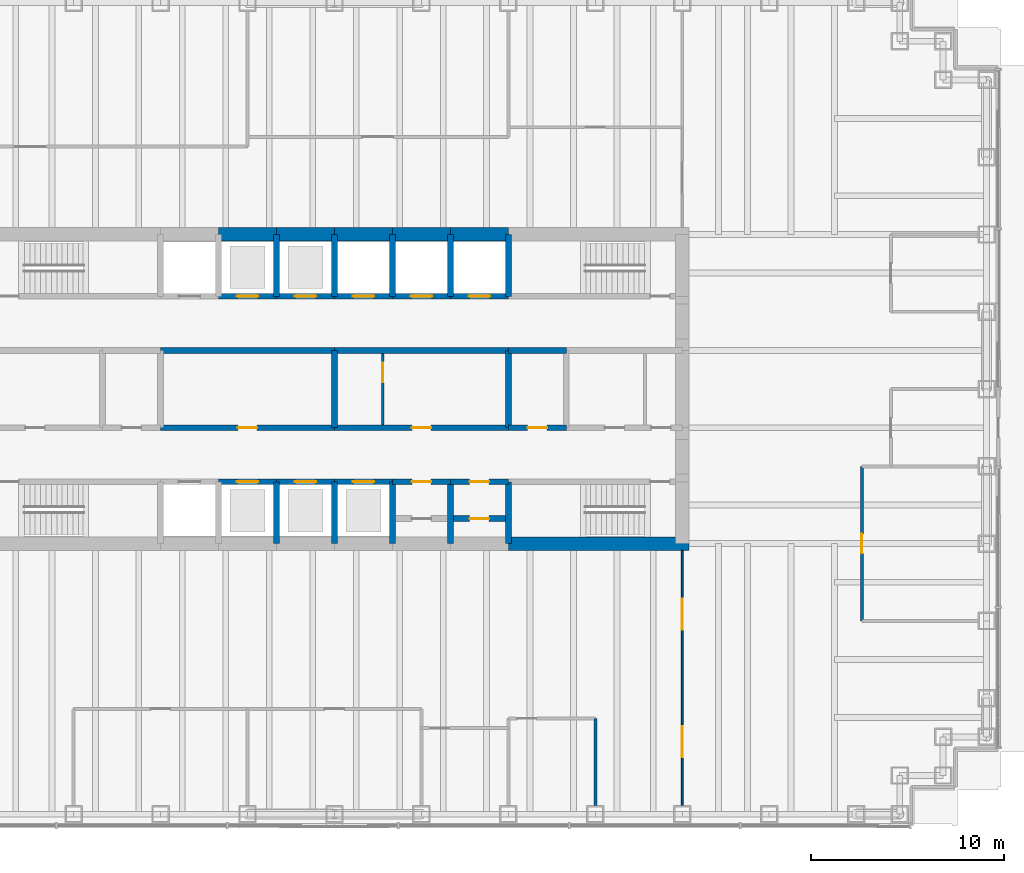
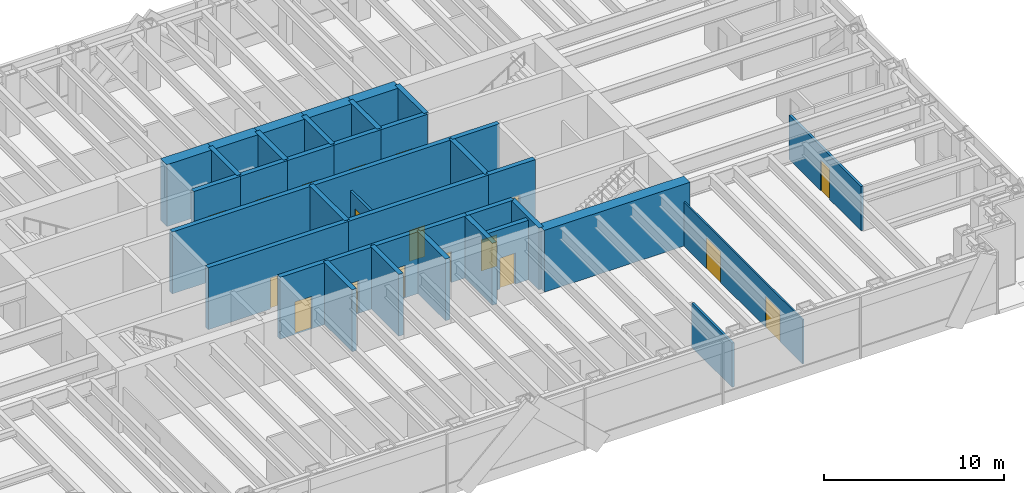
# One storey, part 8 of 12: 39 walls, 18 doors, 18 openings.
"""IFC4 building model written with IfcOpenShell, lengths in metres."""

from ifc_helpers import new_model, si_unit, direction, frame, frame_2d, origin, place, context, subcontext, project, spatial, rectangle, extrude, material, layer, layer_set, type_object, element, fill, save


model = new_model("IFC4")

# Units and contexts
model_context = context("Model", 3, precision=1e-05, world=origin(), true_north=direction((0.0, 1.0)))
body_context = subcontext(model_context, "Body", "Model", "MODEL_VIEW")
ifc_project = project(units=[si_unit("LENGTHUNIT", "METRE"), si_unit("AREAUNIT", "SQUARE_METRE"), si_unit("VOLUMEUNIT", "CUBIC_METRE"), si_unit("PLANEANGLEUNIT", "RADIAN"), si_unit("MASSUNIT", "GRAM", prefix="KILO")], contexts=[model_context])

# Site, building, storey
site_placement = place(None, origin())
site = spatial("IfcSite", under=ifc_project, at=site_placement, CompositionType="ELEMENT")
building_placement = place(site_placement, origin())
building = spatial("IfcBuilding", under=site, at=building_placement, Name="Rheinbord Bourse Tower", CompositionType="ELEMENT")
storey_placement = place(building_placement, frame((0.0, 0.0, 271.10009765625)))
storey = spatial("IfcBuildingStorey", under=building, at=storey_placement, Name="L61", CompositionType="ELEMENT", Elevation=271.10009765625)

# Wall, opening, door
ifc_material_1 = material(Name="Concrete C50/60", Category="concrete")
ifc_layer_1 = layer(ifc_material_1, 0.300048828125)
ifc_layer_set_1 = layer_set([ifc_layer_1], Name="CORE INNER WALL 300")
wall_type_1 = type_object("IfcWallType", Name="CORE INNER WALL 300", PredefinedType="SOLIDWALL", material=ifc_layer_set_1)
wall_1_placement = place(storey_placement, frame((30.0, 19.199951171875, 0.0), z_axis=(0.0, 0.0, 1.0), x_axis=(1.0, 0.0, 0.0)))
wall_1 = element("IfcWall", 1, at=wall_1_placement, inside=storey, type_object=wall_type_1, Name="Core wall A3 L61", PredefinedType="SOLIDWALL", context=body_context, shape_type="SweptSolid", body=[
    extrude(rectangle(XDim=3.0, YDim=0.300048828125, at=frame_2d((1.5, 0.0))), origin(), (0.0, 0.0, 1.0), 4.199951171875),
])
opening_1_placement = place(wall_1_placement, frame((0.949951171875, 0.0, 0.0)))
opening_1 = element("IfcOpeningElement", 2, at=opening_1_placement, cuts=wall_1, Name="Opening PD1", PredefinedType="OPENING", context=body_context, shape_type="SweptSolid", body=[
    extrude(rectangle(XDim=1.10009765625, YDim=2.199951171875, at=frame_2d((0.550048828125, 1.10009765625))), frame((0.0, 0.159912109375, 0.0), z_axis=(0.0, -1.0, 0.0), x_axis=(1.0, 0.0, 0.0)), (0.0, 0.0, 1.0), 0.320068359375),
])
ifc_material_2 = material(Name="Steel landing door", Category="steel")
door_type_1 = type_object("IfcDoorType", Name="LIFT LANDING DOOR 1100", OperationType="DOUBLE_DOOR_SLIDING", PredefinedType="USERDEFINED", material=ifc_material_2)
door_1_placement = place(opening_1_placement, origin())
door_1 = element("IfcDoor", 3, at=door_1_placement, inside=storey, type_object=door_type_1, Name="Lift landing door PD1 L61", ObjectType="LIFT LANDING DOOR", OperationType="DOUBLE_DOOR_SLIDING", OverallHeight=2.199951171875, OverallWidth=1.10009765625, PredefinedType="USERDEFINED", context=body_context, shape_type="SweptSolid", body=[
    extrude(rectangle(XDim=1.10009765625, YDim=2.199951171875, at=frame_2d((0.550048828125, 1.10009765625))), frame((0.0, 0.02490234375, 0.0), z_axis=(0.0, -1.0, 0.0), x_axis=(1.0, 0.0, 0.0)), (0.0, 0.0, 1.0), 0.050048828125),
])
fill(opening_1, door_1)

wall_2_placement = place(storey_placement, frame((33.0, 19.199951171875, 0.0), z_axis=(0.0, 0.0, 1.0), x_axis=(1.0, 0.0, 0.0)))
wall_2 = element("IfcWall", 4, at=wall_2_placement, inside=storey, type_object=wall_type_1, Name="Core wall A4 L61", PredefinedType="SOLIDWALL", context=body_context, shape_type="SweptSolid", body=[
    extrude(rectangle(XDim=3.0, YDim=0.300048828125, at=frame_2d((1.5, 0.0))), origin(), (0.0, 0.0, 1.0), 4.199951171875),
])
opening_2_placement = place(wall_2_placement, frame((0.949951171875, 0.0, 0.0)))
opening_2 = element("IfcOpeningElement", 5, at=opening_2_placement, cuts=wall_2, Name="Opening PD2", PredefinedType="OPENING", context=body_context, shape_type="SweptSolid", body=[
    extrude(rectangle(XDim=1.10009765625, YDim=2.199951171875, at=frame_2d((0.550048828125, 1.10009765625))), frame((0.0, 0.159912109375, 0.0), z_axis=(0.0, -1.0, 0.0), x_axis=(1.0, 0.0, 0.0)), (0.0, 0.0, 1.0), 0.320068359375),
])
door_2_placement = place(opening_2_placement, origin())
door_2 = element("IfcDoor", 6, at=door_2_placement, inside=storey, type_object=door_type_1, Name="Lift landing door PD2 L61", ObjectType="LIFT LANDING DOOR", OperationType="DOUBLE_DOOR_SLIDING", OverallHeight=2.199951171875, OverallWidth=1.10009765625, PredefinedType="USERDEFINED", context=body_context, shape_type="SweptSolid", body=[
    extrude(rectangle(XDim=1.10009765625, YDim=2.199951171875, at=frame_2d((0.550048828125, 1.10009765625))), frame((0.0, 0.02490234375, 0.0), z_axis=(0.0, -1.0, 0.0), x_axis=(1.0, 0.0, 0.0)), (0.0, 0.0, 1.0), 0.050048828125),
])
fill(opening_2, door_2)

wall_3_placement = place(storey_placement, frame((36.0, 19.199951171875, 0.0), z_axis=(0.0, 0.0, 1.0), x_axis=(1.0, 0.0, 0.0)))
wall_3 = element("IfcWall", 7, at=wall_3_placement, inside=storey, type_object=wall_type_1, Name="Core wall A5 L61", PredefinedType="SOLIDWALL", context=body_context, shape_type="SweptSolid", body=[
    extrude(rectangle(XDim=3.0, YDim=0.300048828125, at=frame_2d((1.5, 0.0))), origin(), (0.0, 0.0, 1.0), 4.199951171875),
])
opening_3_placement = place(wall_3_placement, frame((0.949951171875, 0.0, 0.0)))
opening_3 = element("IfcOpeningElement", 8, at=opening_3_placement, cuts=wall_3, Name="Opening PD3", PredefinedType="OPENING", context=body_context, shape_type="SweptSolid", body=[
    extrude(rectangle(XDim=1.10009765625, YDim=2.199951171875, at=frame_2d((0.550048828125, 1.10009765625))), frame((0.0, 0.159912109375, 0.0), z_axis=(0.0, -1.0, 0.0), x_axis=(1.0, 0.0, 0.0)), (0.0, 0.0, 1.0), 0.320068359375),
])
door_3_placement = place(opening_3_placement, origin())
door_3 = element("IfcDoor", 9, at=door_3_placement, inside=storey, type_object=door_type_1, Name="Lift landing door PD3 L61", ObjectType="LIFT LANDING DOOR", OperationType="DOUBLE_DOOR_SLIDING", OverallHeight=2.199951171875, OverallWidth=1.10009765625, PredefinedType="USERDEFINED", context=body_context, shape_type="SweptSolid", body=[
    extrude(rectangle(XDim=1.10009765625, YDim=2.199951171875, at=frame_2d((0.550048828125, 1.10009765625))), frame((0.0, 0.02490234375, 0.0), z_axis=(0.0, -1.0, 0.0), x_axis=(1.0, 0.0, 0.0)), (0.0, 0.0, 1.0), 0.050048828125),
])
fill(opening_3, door_3)

wall_4_placement = place(storey_placement, frame((39.0, 19.199951171875, 0.0), z_axis=(0.0, 0.0, 1.0), x_axis=(1.0, 0.0, 0.0)))
wall_4 = element("IfcWall", 10, at=wall_4_placement, inside=storey, type_object=wall_type_1, Name="Core wall A6 L61", PredefinedType="SOLIDWALL", context=body_context, shape_type="SweptSolid", body=[
    extrude(rectangle(XDim=3.0, YDim=0.300048828125, at=frame_2d((1.5, 0.0))), origin(), (0.0, 0.0, 1.0), 4.199951171875),
])
opening_4_placement = place(wall_4_placement, frame((1.0, 0.0, 0.0)))
opening_4 = element("IfcOpeningElement", 11, at=opening_4_placement, cuts=wall_4, Name="Opening 61R8", PredefinedType="OPENING", context=body_context, shape_type="SweptSolid", body=[
    extrude(rectangle(XDim=1.0, YDim=2.10009765625, at=frame_2d((0.5, 1.050048828125))), frame((0.0, 0.159912109375, 0.0), z_axis=(0.0, -1.0, 0.0), x_axis=(1.0, 0.0, 0.0)), (0.0, 0.0, 1.0), 0.320068359375),
])
ifc_material_3 = material(Name="Steel door", Category="steel")
door_type_2 = type_object("IfcDoorType", Name="DOOR 1000 EI30", OperationType="SINGLE_SWING_LEFT", PredefinedType="DOOR", material=ifc_material_3)
door_4_placement = place(opening_4_placement, origin())
door_4 = element("IfcDoor", 12, at=door_4_placement, inside=storey, type_object=door_type_2, Name="Stationery store door L61", OperationType="SINGLE_SWING_LEFT", OverallHeight=2.10009765625, OverallWidth=1.0, PredefinedType="DOOR", context=body_context, shape_type="SweptSolid", body=[
    extrude(rectangle(XDim=1.0, YDim=2.10009765625, at=frame_2d((0.5, 1.050048828125))), frame((0.0, 0.02490234375, 0.0), z_axis=(0.0, -1.0, 0.0), x_axis=(1.0, 0.0, 0.0)), (0.0, 0.0, 1.0), 0.050048828125),
])
fill(opening_4, door_4)

wall_5_placement = place(storey_placement, frame((42.0, 19.199951171875, 0.0), z_axis=(0.0, 0.0, 1.0), x_axis=(1.0, 0.0, 0.0)))
wall_5 = element("IfcWall", 13, at=wall_5_placement, inside=storey, type_object=wall_type_1, Name="Core wall A7 L61", PredefinedType="SOLIDWALL", context=body_context, shape_type="SweptSolid", body=[
    extrude(rectangle(XDim=3.0, YDim=0.300048828125, at=frame_2d((1.5, 0.0))), origin(), (0.0, 0.0, 1.0), 4.199951171875),
])
opening_5_placement = place(wall_5_placement, frame((1.0, 0.0, 0.0)))
opening_5 = element("IfcOpeningElement", 14, at=opening_5_placement, cuts=wall_5, Name="Opening 61R9", PredefinedType="OPENING", context=body_context, shape_type="SweptSolid", body=[
    extrude(rectangle(XDim=1.0, YDim=2.10009765625, at=frame_2d((0.5, 1.050048828125))), frame((0.0, 0.159912109375, 0.0), z_axis=(0.0, -1.0, 0.0), x_axis=(1.0, 0.0, 0.0)), (0.0, 0.0, 1.0), 0.320068359375),
])
door_5_placement = place(opening_5_placement, origin())
door_5 = element("IfcDoor", 15, at=door_5_placement, inside=storey, type_object=door_type_2, Name="Supplies store door L61", OperationType="SINGLE_SWING_LEFT", OverallHeight=2.10009765625, OverallWidth=1.0, PredefinedType="DOOR", context=body_context, shape_type="SweptSolid", body=[
    extrude(rectangle(XDim=1.0, YDim=2.10009765625, at=frame_2d((0.5, 1.050048828125))), frame((0.0, 0.02490234375, 0.0), z_axis=(0.0, -1.0, 0.0), x_axis=(1.0, 0.0, 0.0)), (0.0, 0.0, 1.0), 0.050048828125),
])
fill(opening_5, door_5)

wall_6_placement = place(storey_placement, frame((30.0, 28.800048828125, 0.0), z_axis=(0.0, 0.0, 1.0), x_axis=(1.0, 0.0, 0.0)))
wall_6 = element("IfcWall", 16, at=wall_6_placement, inside=storey, type_object=wall_type_1, Name="Core wall B3 L61", PredefinedType="SOLIDWALL", context=body_context, shape_type="SweptSolid", body=[
    extrude(rectangle(XDim=3.0, YDim=0.300048828125, at=frame_2d((1.5, 0.0))), origin(), (0.0, 0.0, 1.0), 4.199951171875),
])
opening_6_placement = place(wall_6_placement, frame((0.949951171875, 0.0, 0.0)))
opening_6 = element("IfcOpeningElement", 17, at=opening_6_placement, cuts=wall_6, Name="Opening PD4", PredefinedType="OPENING", context=body_context, shape_type="SweptSolid", body=[
    extrude(rectangle(XDim=1.10009765625, YDim=2.199951171875, at=frame_2d((0.550048828125, 1.10009765625))), frame((0.0, 0.159912109375, 0.0), z_axis=(0.0, -1.0, 0.0), x_axis=(1.0, 0.0, 0.0)), (0.0, 0.0, 1.0), 0.320068359375),
])
door_6_placement = place(opening_6_placement, origin())
door_6 = element("IfcDoor", 18, at=door_6_placement, inside=storey, type_object=door_type_1, Name="Lift landing door PD4 L61", ObjectType="LIFT LANDING DOOR", OperationType="DOUBLE_DOOR_SLIDING", OverallHeight=2.199951171875, OverallWidth=1.10009765625, PredefinedType="USERDEFINED", context=body_context, shape_type="SweptSolid", body=[
    extrude(rectangle(XDim=1.10009765625, YDim=2.199951171875, at=frame_2d((0.550048828125, 1.10009765625))), frame((0.0, 0.02490234375, 0.0), z_axis=(0.0, -1.0, 0.0), x_axis=(1.0, 0.0, 0.0)), (0.0, 0.0, 1.0), 0.050048828125),
])
fill(opening_6, door_6)

wall_7_placement = place(storey_placement, frame((33.0, 28.800048828125, 0.0), z_axis=(0.0, 0.0, 1.0), x_axis=(1.0, 0.0, 0.0)))
wall_7 = element("IfcWall", 19, at=wall_7_placement, inside=storey, type_object=wall_type_1, Name="Core wall B4 L61", PredefinedType="SOLIDWALL", context=body_context, shape_type="SweptSolid", body=[
    extrude(rectangle(XDim=3.0, YDim=0.300048828125, at=frame_2d((1.5, 0.0))), origin(), (0.0, 0.0, 1.0), 4.199951171875),
])
opening_7_placement = place(wall_7_placement, frame((0.949951171875, 0.0, 0.0)))
opening_7 = element("IfcOpeningElement", 20, at=opening_7_placement, cuts=wall_7, Name="Opening PD5", PredefinedType="OPENING", context=body_context, shape_type="SweptSolid", body=[
    extrude(rectangle(XDim=1.10009765625, YDim=2.199951171875, at=frame_2d((0.550048828125, 1.10009765625))), frame((0.0, 0.159912109375, 0.0), z_axis=(0.0, -1.0, 0.0), x_axis=(1.0, 0.0, 0.0)), (0.0, 0.0, 1.0), 0.320068359375),
])
door_7_placement = place(opening_7_placement, origin())
door_7 = element("IfcDoor", 21, at=door_7_placement, inside=storey, type_object=door_type_1, Name="Lift landing door PD5 L61", ObjectType="LIFT LANDING DOOR", OperationType="DOUBLE_DOOR_SLIDING", OverallHeight=2.199951171875, OverallWidth=1.10009765625, PredefinedType="USERDEFINED", context=body_context, shape_type="SweptSolid", body=[
    extrude(rectangle(XDim=1.10009765625, YDim=2.199951171875, at=frame_2d((0.550048828125, 1.10009765625))), frame((0.0, 0.02490234375, 0.0), z_axis=(0.0, -1.0, 0.0), x_axis=(1.0, 0.0, 0.0)), (0.0, 0.0, 1.0), 0.050048828125),
])
fill(opening_7, door_7)

wall_8_placement = place(storey_placement, frame((36.0, 28.800048828125, 0.0), z_axis=(0.0, 0.0, 1.0), x_axis=(1.0, 0.0, 0.0)))
wall_8 = element("IfcWall", 22, at=wall_8_placement, inside=storey, type_object=wall_type_1, Name="Core wall B5 L61", PredefinedType="SOLIDWALL", context=body_context, shape_type="SweptSolid", body=[
    extrude(rectangle(XDim=3.0, YDim=0.300048828125, at=frame_2d((1.5, 0.0))), origin(), (0.0, 0.0, 1.0), 4.199951171875),
])
opening_8_placement = place(wall_8_placement, frame((0.949951171875, 0.0, 0.0)))
opening_8 = element("IfcOpeningElement", 23, at=opening_8_placement, cuts=wall_8, Name="Opening SL3", PredefinedType="OPENING", context=body_context, shape_type="SweptSolid", body=[
    extrude(rectangle(XDim=1.10009765625, YDim=2.199951171875, at=frame_2d((0.550048828125, 1.10009765625))), frame((0.0, 0.159912109375, 0.0), z_axis=(0.0, -1.0, 0.0), x_axis=(1.0, 0.0, 0.0)), (0.0, 0.0, 1.0), 0.320068359375),
])
door_8_placement = place(opening_8_placement, origin())
door_8 = element("IfcDoor", 24, at=door_8_placement, inside=storey, type_object=door_type_1, Name="Lift landing door SL3 L61", ObjectType="LIFT LANDING DOOR", OperationType="DOUBLE_DOOR_SLIDING", OverallHeight=2.199951171875, OverallWidth=1.10009765625, PredefinedType="USERDEFINED", context=body_context, shape_type="SweptSolid", body=[
    extrude(rectangle(XDim=1.10009765625, YDim=2.199951171875, at=frame_2d((0.550048828125, 1.10009765625))), frame((0.0, 0.02490234375, 0.0), z_axis=(0.0, -1.0, 0.0), x_axis=(1.0, 0.0, 0.0)), (0.0, 0.0, 1.0), 0.050048828125),
])
fill(opening_8, door_8)

wall_9_placement = place(storey_placement, frame((39.0, 28.800048828125, 0.0), z_axis=(0.0, 0.0, 1.0), x_axis=(1.0, 0.0, 0.0)))
wall_9 = element("IfcWall", 25, at=wall_9_placement, inside=storey, type_object=wall_type_1, Name="Core wall B6 L61", PredefinedType="SOLIDWALL", context=body_context, shape_type="SweptSolid", body=[
    extrude(rectangle(XDim=3.0, YDim=0.300048828125, at=frame_2d((1.5, 0.0))), origin(), (0.0, 0.0, 1.0), 4.199951171875),
])
opening_9_placement = place(wall_9_placement, frame((0.949951171875, 0.0, 0.0)))
opening_9 = element("IfcOpeningElement", 26, at=opening_9_placement, cuts=wall_9, Name="Opening SL4", PredefinedType="OPENING", context=body_context, shape_type="SweptSolid", body=[
    extrude(rectangle(XDim=1.10009765625, YDim=2.199951171875, at=frame_2d((0.550048828125, 1.10009765625))), frame((0.0, 0.159912109375, 0.0), z_axis=(0.0, -1.0, 0.0), x_axis=(1.0, 0.0, 0.0)), (0.0, 0.0, 1.0), 0.320068359375),
])
door_9_placement = place(opening_9_placement, origin())
door_9 = element("IfcDoor", 27, at=door_9_placement, inside=storey, type_object=door_type_1, Name="Lift landing door SL4 L61", ObjectType="LIFT LANDING DOOR", OperationType="DOUBLE_DOOR_SLIDING", OverallHeight=2.199951171875, OverallWidth=1.10009765625, PredefinedType="USERDEFINED", context=body_context, shape_type="SweptSolid", body=[
    extrude(rectangle(XDim=1.10009765625, YDim=2.199951171875, at=frame_2d((0.550048828125, 1.10009765625))), frame((0.0, 0.02490234375, 0.0), z_axis=(0.0, -1.0, 0.0), x_axis=(1.0, 0.0, 0.0)), (0.0, 0.0, 1.0), 0.050048828125),
])
fill(opening_9, door_9)

wall_10_placement = place(storey_placement, frame((42.0, 28.800048828125, 0.0), z_axis=(0.0, 0.0, 1.0), x_axis=(1.0, 0.0, 0.0)))
wall_10 = element("IfcWall", 28, at=wall_10_placement, inside=storey, type_object=wall_type_1, Name="Core wall B7 L61", PredefinedType="SOLIDWALL", context=body_context, shape_type="SweptSolid", body=[
    extrude(rectangle(XDim=3.0, YDim=0.300048828125, at=frame_2d((1.5, 0.0))), origin(), (0.0, 0.0, 1.0), 4.199951171875),
])
opening_10_placement = place(wall_10_placement, frame((0.949951171875, 0.0, 0.0)))
opening_10 = element("IfcOpeningElement", 29, at=opening_10_placement, cuts=wall_10, Name="Opening FL2", PredefinedType="OPENING", context=body_context, shape_type="SweptSolid", body=[
    extrude(rectangle(XDim=1.10009765625, YDim=2.199951171875, at=frame_2d((0.550048828125, 1.10009765625))), frame((0.0, 0.159912109375, 0.0), z_axis=(0.0, -1.0, 0.0), x_axis=(1.0, 0.0, 0.0)), (0.0, 0.0, 1.0), 0.320068359375),
])
door_10_placement = place(opening_10_placement, origin())
door_10 = element("IfcDoor", 30, at=door_10_placement, inside=storey, type_object=door_type_1, Name="Lift landing door FL2 L61", ObjectType="LIFT LANDING DOOR", OperationType="DOUBLE_DOOR_SLIDING", OverallHeight=2.199951171875, OverallWidth=1.10009765625, PredefinedType="USERDEFINED", context=body_context, shape_type="SweptSolid", body=[
    extrude(rectangle(XDim=1.10009765625, YDim=2.199951171875, at=frame_2d((0.550048828125, 1.10009765625))), frame((0.0, 0.02490234375, 0.0), z_axis=(0.0, -1.0, 0.0), x_axis=(1.0, 0.0, 0.0)), (0.0, 0.0, 1.0), 0.050048828125),
])
fill(opening_10, door_10)

wall_11_placement = place(storey_placement, frame((27.0, 22.0, 0.0), z_axis=(0.0, 0.0, 1.0), x_axis=(1.0, 0.0, 0.0)))
wall_11 = element("IfcWall", 31, at=wall_11_placement, inside=storey, type_object=wall_type_1, Name="Core wall C3 L61", PredefinedType="SOLIDWALL", context=body_context, shape_type="SweptSolid", body=[
    extrude(rectangle(XDim=9.0, YDim=0.300048828125, at=frame_2d((4.5, 0.0))), origin(), (0.0, 0.0, 1.0), 4.199951171875),
])
opening_11_placement = place(wall_11_placement, frame((4.0, 0.0, 0.0)))
opening_11 = element("IfcOpeningElement", 32, at=opening_11_placement, cuts=wall_11, Name="Opening 61R3", PredefinedType="OPENING", context=body_context, shape_type="SweptSolid", body=[
    extrude(rectangle(XDim=1.0, YDim=2.10009765625, at=frame_2d((0.5, 1.050048828125))), frame((0.0, 0.159912109375, 0.0), z_axis=(0.0, -1.0, 0.0), x_axis=(1.0, 0.0, 0.0)), (0.0, 0.0, 1.0), 0.320068359375),
])
door_11_placement = place(opening_11_placement, origin())
door_11 = element("IfcDoor", 33, at=door_11_placement, inside=storey, type_object=door_type_2, Name="Riser door L61", OperationType="SINGLE_SWING_LEFT", OverallHeight=2.10009765625, OverallWidth=1.0, PredefinedType="DOOR", context=body_context, shape_type="SweptSolid", body=[
    extrude(rectangle(XDim=1.0, YDim=2.10009765625, at=frame_2d((0.5, 1.050048828125))), frame((0.0, 0.02490234375, 0.0), z_axis=(0.0, -1.0, 0.0), x_axis=(1.0, 0.0, 0.0)), (0.0, 0.0, 1.0), 0.050048828125),
])
fill(opening_11, door_11)

wall_12_placement = place(storey_placement, frame((36.0, 22.0, 0.0), z_axis=(0.0, 0.0, 1.0), x_axis=(1.0, 0.0, 0.0)))
wall_12 = element("IfcWall", 34, at=wall_12_placement, inside=storey, type_object=wall_type_1, Name="Core wall C4 L61", PredefinedType="SOLIDWALL", context=body_context, shape_type="SweptSolid", body=[
    extrude(rectangle(XDim=9.0, YDim=0.300048828125, at=frame_2d((4.5, 0.0))), origin(), (0.0, 0.0, 1.0), 4.199951171875),
])
opening_12_placement = place(wall_12_placement, frame((4.0, 0.0, 0.0)))
opening_12 = element("IfcOpeningElement", 35, at=opening_12_placement, cuts=wall_12, Name="Opening 61R4", PredefinedType="OPENING", context=body_context, shape_type="SweptSolid", body=[
    extrude(rectangle(XDim=1.0, YDim=2.10009765625, at=frame_2d((0.5, 1.050048828125))), frame((0.0, 0.159912109375, 0.0), z_axis=(0.0, -1.0, 0.0), x_axis=(1.0, 0.0, 0.0)), (0.0, 0.0, 1.0), 0.320068359375),
])
door_12_placement = place(opening_12_placement, origin())
door_12 = element("IfcDoor", 36, at=door_12_placement, inside=storey, type_object=door_type_2, Name="Store door L61", OperationType="SINGLE_SWING_LEFT", OverallHeight=2.10009765625, OverallWidth=1.0, PredefinedType="DOOR", context=body_context, shape_type="SweptSolid", body=[
    extrude(rectangle(XDim=1.0, YDim=2.10009765625, at=frame_2d((0.5, 1.050048828125))), frame((0.0, 0.02490234375, 0.0), z_axis=(0.0, -1.0, 0.0), x_axis=(1.0, 0.0, 0.0)), (0.0, 0.0, 1.0), 0.050048828125),
])
fill(opening_12, door_12)

wall_13_placement = place(storey_placement, frame((45.0, 22.0, 0.0), z_axis=(0.0, 0.0, 1.0), x_axis=(1.0, 0.0, 0.0)))
wall_13 = element("IfcWall", 37, at=wall_13_placement, inside=storey, type_object=wall_type_1, Name="Core wall C5 L61", PredefinedType="SOLIDWALL", context=body_context, shape_type="SweptSolid", body=[
    extrude(rectangle(XDim=3.0, YDim=0.300048828125, at=frame_2d((1.5, 0.0))), origin(), (0.0, 0.0, 1.0), 4.199951171875),
])
opening_13_placement = place(wall_13_placement, frame((1.0, 0.0, 0.0)))
opening_13 = element("IfcOpeningElement", 38, at=opening_13_placement, cuts=wall_13, Name="Opening 61R5", PredefinedType="OPENING", context=body_context, shape_type="SweptSolid", body=[
    extrude(rectangle(XDim=1.0, YDim=2.10009765625, at=frame_2d((0.5, 1.050048828125))), frame((0.0, 0.159912109375, 0.0), z_axis=(0.0, -1.0, 0.0), x_axis=(1.0, 0.0, 0.0)), (0.0, 0.0, 1.0), 0.320068359375),
])
ifc_material_4 = material(Name="Timber door", Category="wood")
door_type_3 = type_object("IfcDoorType", Name="DOOR 1000 WC", OperationType="SINGLE_SWING_LEFT", PredefinedType="DOOR", material=ifc_material_4)
door_13_placement = place(opening_13_placement, origin())
door_13 = element("IfcDoor", 39, at=door_13_placement, inside=storey, type_object=door_type_3, Name="Accessible WC door L61", OperationType="SINGLE_SWING_LEFT", OverallHeight=2.10009765625, OverallWidth=1.0, PredefinedType="DOOR", context=body_context, shape_type="SweptSolid", body=[
    extrude(rectangle(XDim=1.0, YDim=2.10009765625, at=frame_2d((0.5, 1.050048828125))), frame((0.0, 0.02490234375, 0.0), z_axis=(0.0, -1.0, 0.0), x_axis=(1.0, 0.0, 0.0)), (0.0, 0.0, 1.0), 0.050048828125),
])
fill(opening_13, door_13)

# Walls
for number, where, z_axis, x_axis, name in (
    (40, (27.0, 26.0, 0.0), (0.0, 0.0, 1.0), (1.0, 0.0, 0.0), "Core wall D3 L61"),
    (41, (36.0, 26.0, 0.0), (0.0, 0.0, 1.0), (1.0, 0.0, 0.0), "Core wall D4 L61"),
):
    element("IfcWall", number, at=place(storey_placement, frame(where, z_axis=z_axis, x_axis=x_axis)), inside=storey, type_object=wall_type_1, Name=name, PredefinedType="SOLIDWALL", context=body_context, shape_type="SweptSolid", body=[
        extrude(rectangle(XDim=9.0, YDim=0.300048828125, at=frame_2d((4.5, 0.0))), origin(), (0.0, 0.0, 1.0), 4.199951171875),
    ])
wall_14_placement = place(storey_placement, frame((45.0, 26.0, 0.0), z_axis=(0.0, 0.0, 1.0), x_axis=(1.0, 0.0, 0.0)))
element("IfcWall", 42, at=wall_14_placement, inside=storey, type_object=wall_type_1, Name="Core wall D5 L61", PredefinedType="SOLIDWALL", context=body_context, shape_type="SweptSolid", body=[
    extrude(rectangle(XDim=3.0, YDim=0.300048828125, at=frame_2d((1.5, 0.0))), origin(), (0.0, 0.0, 1.0), 4.199951171875),
])
for number, where, z_axis, x_axis, name in (
    (43, (33.0, 16.0, 0.0), (0.0, 0.0, 1.0), (0.0, 1.0, 0.0), "Core wall SX33 L61"),
    (44, (33.0, 28.800048828125, 0.0), (0.0, 0.0, 1.0), (0.0, 1.0, 0.0), "Core wall NX33 L61"),
    (45, (36.0, 16.0, 0.0), (0.0, 0.0, 1.0), (0.0, 1.0, 0.0), "Core wall SX36 L61"),
    (46, (36.0, 28.800048828125, 0.0), (0.0, 0.0, 1.0), (0.0, 1.0, 0.0), "Core wall NX36 L61"),
    (47, (39.0, 16.0, 0.0), (0.0, 0.0, 1.0), (0.0, 1.0, 0.0), "Core wall SX39 L61"),
    (48, (39.0, 28.800048828125, 0.0), (0.0, 0.0, 1.0), (0.0, 1.0, 0.0), "Core wall NX39 L61"),
    (49, (42.0, 16.0, 0.0), (0.0, 0.0, 1.0), (0.0, 1.0, 0.0), "Core wall SX42 L61"),
    (50, (42.0, 28.800048828125, 0.0), (0.0, 0.0, 1.0), (0.0, 1.0, 0.0), "Core wall NX42 L61"),
    (51, (45.0, 16.0, 0.0), (0.0, 0.0, 1.0), (0.0, 1.0, 0.0), "Core wall SX45 L61"),
    (52, (45.0, 28.800048828125, 0.0), (0.0, 0.0, 1.0), (0.0, 1.0, 0.0), "Core wall NX45 L61"),
):
    element("IfcWall", number, at=place(storey_placement, frame(where, z_axis=z_axis, x_axis=x_axis)), inside=storey, type_object=wall_type_1, Name=name, PredefinedType="SOLIDWALL", context=body_context, shape_type="SweptSolid", body=[
        extrude(rectangle(XDim=3.199951171875, YDim=0.300048828125, at=frame_2d((1.60009765625, 0.0))), origin(), (0.0, 0.0, 1.0), 4.199951171875),
    ])
for number, where, z_axis, x_axis, name in (
    (53, (36.0, 22.0, 0.0), (0.0, 0.0, 1.0), (0.0, 1.0, 0.0), "Core wall MX36 L61"),
    (54, (45.0, 22.0, 0.0), (0.0, 0.0, 1.0), (0.0, 1.0, 0.0), "Core wall MX45 L61"),
):
    element("IfcWall", number, at=place(storey_placement, frame(where, z_axis=z_axis, x_axis=x_axis)), inside=storey, type_object=wall_type_1, Name=name, PredefinedType="SOLIDWALL", context=body_context, shape_type="SweptSolid", body=[
        extrude(rectangle(XDim=4.0, YDim=0.300048828125, at=frame_2d((2.0, 0.0))), origin(), (0.0, 0.0, 1.0), 4.199951171875),
    ])

# Wall, opening, door
wall_15_placement = place(storey_placement, frame((42.14990234375, 17.300048828125, 0.0), z_axis=(0.0, 0.0, 1.0), x_axis=(1.0, 0.0, 0.0)))
wall_15 = element("IfcWall", 55, at=wall_15_placement, inside=storey, type_object=wall_type_1, Name="Core riser wall L61-7", PredefinedType="SOLIDWALL", context=body_context, shape_type="SweptSolid", body=[
    extrude(rectangle(XDim=2.7001953125, YDim=0.300048828125, at=frame_2d((1.35009765625, 0.0))), origin(), (0.0, 0.0, 1.0), 4.039794921875),
])
opening_14_placement = place(wall_15_placement, frame((0.85009765625, 0.0, 0.0)))
opening_14 = element("IfcOpeningElement", 56, at=opening_14_placement, cuts=wall_15, Name="Opening 61R13", PredefinedType="OPENING", context=body_context, shape_type="SweptSolid", body=[
    extrude(rectangle(XDim=1.0, YDim=2.10009765625, at=frame_2d((0.5, 1.050048828125))), frame((0.0, 0.159912109375, 0.0), z_axis=(0.0, -1.0, 0.0), x_axis=(1.0, 0.0, 0.0)), (0.0, 0.0, 1.0), 0.320068359375),
])
door_14_placement = place(opening_14_placement, origin())
door_14 = element("IfcDoor", 57, at=door_14_placement, inside=storey, type_object=door_type_2, Name="Electrical riser door L61", OperationType="SINGLE_SWING_LEFT", OverallHeight=2.10009765625, OverallWidth=1.0, PredefinedType="DOOR", context=body_context, shape_type="SweptSolid", body=[
    extrude(rectangle(XDim=1.0, YDim=2.10009765625, at=frame_2d((0.5, 1.050048828125))), frame((0.0, 0.02490234375, 0.0), z_axis=(0.0, -1.0, 0.0), x_axis=(1.0, 0.0, 0.0)), (0.0, 0.0, 1.0), 0.050048828125),
])
fill(opening_14, door_14)

ifc_material_5 = material(Name="Gypsum board fire partition", Category="gypsum board")
ifc_layer_2 = layer(ifc_material_5, 0.14990234375)
ifc_layer_set_2 = layer_set([ifc_layer_2], Name="CORE PARTITION 150 EI30")
wall_type_2 = type_object("IfcWallType", Name="CORE PARTITION 150 EI30", PredefinedType="PARTITIONING", material=ifc_layer_set_2)
wall_16_placement = place(storey_placement, frame((38.5, 22.14990234375, 0.0), z_axis=(0.0, 0.0, 1.0), x_axis=(0.0, 1.0, 0.0)))
wall_16 = element("IfcWall", 58, at=wall_16_placement, inside=storey, type_object=wall_type_2, Name="Core partition L61-1", PredefinedType="PARTITIONING", context=body_context, shape_type="SweptSolid", body=[
    extrude(rectangle(XDim=3.7001953125, YDim=0.14990234375, at=frame_2d((1.85009765625, 0.0))), origin(), (0.0, 0.0, 1.0), 3.0),
])
opening_15_placement = place(wall_16_placement, frame((2.199951171875, 0.0, 0.0)))
opening_15 = element("IfcOpeningElement", 59, at=opening_15_placement, cuts=wall_16, Name="Opening 61R7", PredefinedType="OPENING", context=body_context, shape_type="SweptSolid", body=[
    extrude(rectangle(XDim=1.0, YDim=2.10009765625, at=frame_2d((0.5, 1.050048828125))), frame((0.0, 0.0849609375, 0.0), z_axis=(0.0, -1.0, 0.0), x_axis=(1.0, 0.0, 0.0)), (0.0, 0.0, 1.0), 0.169921875),
])
door_15_placement = place(opening_15_placement, origin())
door_15 = element("IfcDoor", 60, at=door_15_placement, inside=storey, type_object=door_type_2, Name="Furniture store door L61", OperationType="SINGLE_SWING_RIGHT", OverallHeight=2.10009765625, OverallWidth=1.0, PredefinedType="DOOR", context=body_context, shape_type="SweptSolid", body=[
    extrude(rectangle(XDim=1.0, YDim=2.10009765625, at=frame_2d((0.5, 1.050048828125))), frame((0.0, 0.02490234375, 0.0), z_axis=(0.0, -1.0, 0.0), x_axis=(1.0, 0.0, 0.0)), (0.0, 0.0, 1.0), 0.050048828125),
])
fill(opening_15, door_15)

# Walls
ifc_material_6 = material(Name="Concrete C50/60", Category="concrete")
ifc_layer_3 = layer(ifc_material_6, 0.699951171875)
ifc_layer_set_3 = layer_set([ifc_layer_3], Name="CORE WALL 700")
wall_type_3 = type_object("IfcWallType", Name="CORE WALL 700", PredefinedType="SHEAR", material=ifc_layer_set_3)
wall_17_placement = place(storey_placement, frame((45.0, 16.0, 0.0), z_axis=(0.0, 0.0, 1.0), x_axis=(1.0, 0.0, 0.0)))
element("IfcWall", 61, at=wall_17_placement, inside=storey, type_object=wall_type_3, Name="Core wall S8 L61", PredefinedType="SHEAR", context=body_context, shape_type="SweptSolid", body=[
    extrude(rectangle(XDim=9.35009765625, YDim=0.699951171875, at=frame_2d((4.675048828125, 0.0))), origin(), (0.0, 0.0, 1.0), 4.199951171875),
])
for number, where, z_axis, x_axis, name in (
    (62, (45.0, 32.0, 0.0), (0.0, 0.0, 1.0), (-1.0, 0.0, 0.0), "Core wall N2 L61"),
    (63, (42.0, 32.0, 0.0), (0.0, 0.0, 1.0), (-1.0, 0.0, 0.0), "Core wall N3 L61"),
    (64, (39.0, 32.0, 0.0), (0.0, 0.0, 1.0), (-1.0, 0.0, 0.0), "Core wall N4 L61"),
    (65, (36.0, 32.0, 0.0), (0.0, 0.0, 1.0), (-1.0, 0.0, 0.0), "Core wall N5 L61"),
    (66, (33.0, 32.0, 0.0), (0.0, 0.0, 1.0), (-1.0, 0.0, 0.0), "Core wall N6 L61"),
):
    element("IfcWall", number, at=place(storey_placement, frame(where, z_axis=z_axis, x_axis=x_axis)), inside=storey, type_object=wall_type_3, Name=name, PredefinedType="SHEAR", context=body_context, shape_type="SweptSolid", body=[
        extrude(rectangle(XDim=3.0, YDim=0.699951171875, at=frame_2d((1.5, 0.0))), origin(), (0.0, 0.0, 1.0), 4.199951171875),
    ])

# Wall, openings, doors
ifc_material_7 = material(Name="Toughened laminated glass partition", Category="glass")
ifc_layer_4 = layer(ifc_material_7, 0.10009765625)
ifc_layer_set_4 = layer_set([ifc_layer_4], Name="GLAZED PARTITION 100")
wall_type_4 = type_object("IfcWallType", Name="GLAZED PARTITION 100", PredefinedType="PARTITIONING", material=ifc_layer_set_4)
wall_18_placement = place(storey_placement, frame((54.0, 2.449951171875, 0.0), z_axis=(0.0, 0.0, 1.0), x_axis=(0.0, 1.0, 0.0)))
wall_18 = element("IfcWall", 67, at=wall_18_placement, inside=storey, type_object=wall_type_4, Name="Partition L61-30", PredefinedType="PARTITIONING", context=body_context, shape_type="SweptSolid", body=[
    extrude(rectangle(XDim=13.199951171875, YDim=0.10009765625, at=frame_2d((6.60009765625, 0.0))), origin(), (0.0, 0.0, 1.0), 3.0),
])
opening_16_placement = place(wall_18_placement, frame((2.5, 0.0, 0.0)))
opening_16 = element("IfcOpeningElement", 68, at=opening_16_placement, cuts=wall_18, Name="Opening 61D17", PredefinedType="OPENING", context=body_context, shape_type="SweptSolid", body=[
    extrude(rectangle(XDim=1.60009765625, YDim=2.10009765625, at=frame_2d((0.800048828125, 1.050048828125))), frame((0.0, 0.06005859375, 0.0), z_axis=(0.0, -1.0, 0.0), x_axis=(1.0, 0.0, 0.0)), (0.0, 0.0, 1.0), 0.1201171875),
])
opening_17_placement = place(wall_18_placement, frame((9.10009765625, 0.0, 0.0)))
opening_17 = element("IfcOpeningElement", 69, at=opening_17_placement, cuts=wall_18, Name="Opening 61D18", PredefinedType="OPENING", context=body_context, shape_type="SweptSolid", body=[
    extrude(rectangle(XDim=1.60009765625, YDim=2.10009765625, at=frame_2d((0.800048828125, 1.050048828125))), frame((0.0, 0.06005859375, 0.0), z_axis=(0.0, -1.0, 0.0), x_axis=(1.0, 0.0, 0.0)), (0.0, 0.0, 1.0), 0.1201171875),
])
ifc_material_8 = material(Name="Timber door", Category="wood")
door_type_4 = type_object("IfcDoorType", Name="DOUBLE ROOM DOOR 1600", OperationType="DOUBLE_DOOR_DOUBLE_SWING", PredefinedType="DOOR", material=ifc_material_8)
door_16_placement = place(opening_16_placement, origin())
door_16 = element("IfcDoor", 70, at=door_16_placement, inside=storey, type_object=door_type_4, Name="Open area door L61", OperationType="SINGLE_SWING_LEFT", OverallHeight=2.10009765625, OverallWidth=1.60009765625, PredefinedType="DOOR", context=body_context, shape_type="SweptSolid", body=[
    extrude(rectangle(XDim=1.60009765625, YDim=2.10009765625, at=frame_2d((0.800048828125, 1.050048828125))), frame((0.0, 0.02490234375, 0.0), z_axis=(0.0, -1.0, 0.0), x_axis=(1.0, 0.0, 0.0)), (0.0, 0.0, 1.0), 0.050048828125),
])
fill(opening_16, door_16)
door_17_placement = place(opening_17_placement, origin())
door_17 = element("IfcDoor", 71, at=door_17_placement, inside=storey, type_object=door_type_4, Name="Open area door L61", OperationType="SINGLE_SWING_LEFT", OverallHeight=2.10009765625, OverallWidth=1.60009765625, PredefinedType="DOOR", context=body_context, shape_type="SweptSolid", body=[
    extrude(rectangle(XDim=1.60009765625, YDim=2.10009765625, at=frame_2d((0.800048828125, 1.050048828125))), frame((0.0, 0.02490234375, 0.0), z_axis=(0.0, -1.0, 0.0), x_axis=(1.0, 0.0, 0.0)), (0.0, 0.0, 1.0), 0.050048828125),
])
fill(opening_17, door_17)

# Wall
ifc_material_9 = material(Name="Gypsum board partition", Category="gypsum board")
ifc_layer_5 = layer(ifc_material_9, 0.14990234375)
ifc_layer_set_5 = layer_set([ifc_layer_5], Name="PARTITION 150")
wall_type_5 = type_object("IfcWallType", Name="PARTITION 150", PredefinedType="PARTITIONING", material=ifc_layer_set_5)
wall_19_placement = place(storey_placement, frame((49.5, 2.449951171875, 0.0), z_axis=(0.0, 0.0, 1.0), x_axis=(0.0, 1.0, 0.0)))
element("IfcWall", 72, at=wall_19_placement, inside=storey, type_object=wall_type_5, Name="Partition L61-29", PredefinedType="PARTITIONING", context=body_context, shape_type="SweptSolid", body=[
    extrude(rectangle(XDim=4.5, YDim=0.14990234375, at=frame_2d((2.25, 0.0))), origin(), (0.0, 0.0, 1.0), 3.0),
])

# Wall, opening, door
wall_20_placement = place(storey_placement, frame((63.300048828125, 12.0, 0.0), z_axis=(0.0, 0.0, 1.0), x_axis=(0.0, 1.0, 0.0)))
wall_20 = element("IfcWall", 73, at=wall_20_placement, inside=storey, type_object=wall_type_5, Name="Partition L61-33", PredefinedType="PARTITIONING", context=body_context, shape_type="SweptSolid", body=[
    extrude(rectangle(XDim=8.0, YDim=0.14990234375, at=frame_2d((4.0, 0.0))), origin(), (0.0, 0.0, 1.0), 3.0),
])
opening_18_placement = place(wall_20_placement, frame((3.5, 0.0, 0.0)))
opening_18 = element("IfcOpeningElement", 74, at=opening_18_placement, cuts=wall_20, Name="Opening 61D06", PredefinedType="OPENING", context=body_context, shape_type="SweptSolid", body=[
    extrude(rectangle(XDim=1.0, YDim=2.10009765625, at=frame_2d((0.5, 1.050048828125))), frame((0.0, 0.0849609375, 0.0), z_axis=(0.0, -1.0, 0.0), x_axis=(1.0, 0.0, 0.0)), (0.0, 0.0, 1.0), 0.169921875),
])
ifc_material_10 = material(Name="Timber door", Category="wood")
door_type_5 = type_object("IfcDoorType", Name="ROOM DOOR 1000", OperationType="SINGLE_SWING_LEFT", PredefinedType="DOOR", material=ifc_material_10)
door_18_placement = place(opening_18_placement, origin())
door_18 = element("IfcDoor", 75, at=door_18_placement, inside=storey, type_object=door_type_5, Name="Relaxation room door L61", OperationType="SINGLE_SWING_LEFT", OverallHeight=2.10009765625, OverallWidth=1.0, PredefinedType="DOOR", context=body_context, shape_type="SweptSolid", body=[
    extrude(rectangle(XDim=1.0, YDim=2.10009765625, at=frame_2d((0.5, 1.050048828125))), frame((0.0, 0.02490234375, 0.0), z_axis=(0.0, -1.0, 0.0), x_axis=(1.0, 0.0, 0.0)), (0.0, 0.0, 1.0), 0.050048828125),
])
fill(opening_18, door_18)

save(model, "model.ifc")
